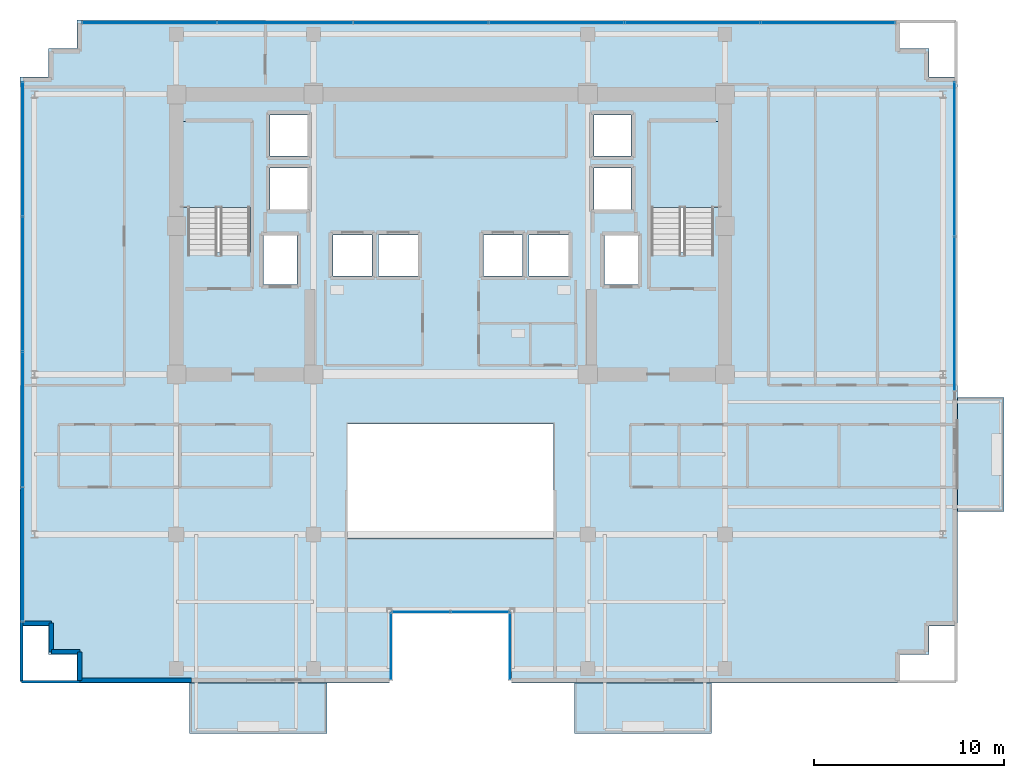
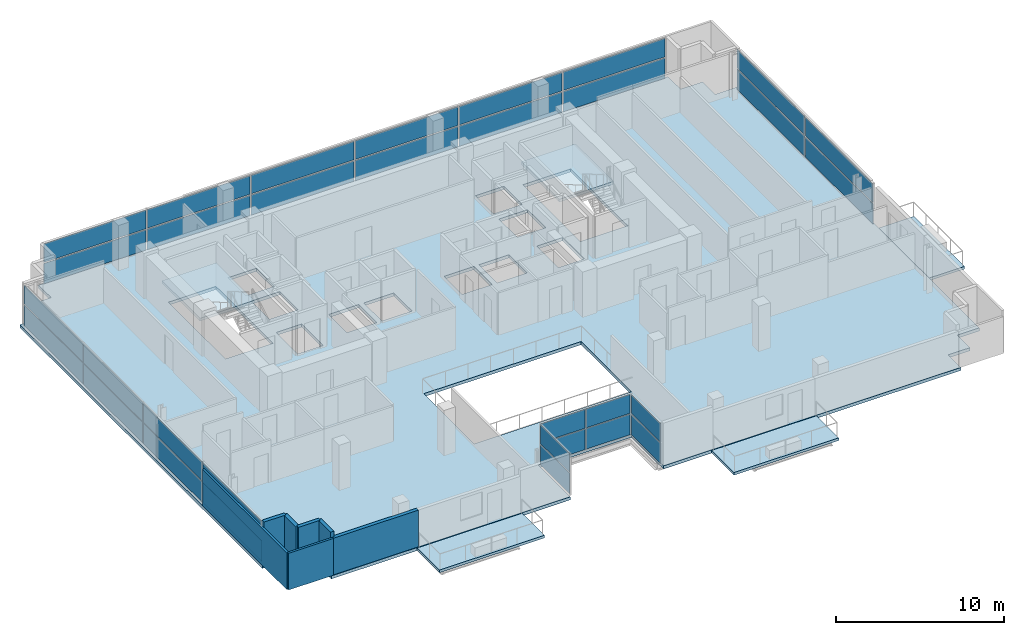
# One storey, part 14 of 21: 32 plates, 7 walls, 6 slabs, 8 elements without a shape of their own.
"""IFC4 building model written with IfcOpenShell, lengths in metres."""

from ifc_helpers import new_model, si_unit, direction, frame, frame_2d, origin, origin_2d, place, context, subcontext, project, spatial, polyline, rectangle, outline, extrude, source, transform, mapped, material, layer, layer_set, type_object, element, aggregate, save


model = new_model("IFC4")

# Units and contexts
model_context = context("Model", 3, precision=1e-05, world=origin(), true_north=direction((0.0, 1.0)))
body_context = subcontext(model_context, "Body", "Model", "MODEL_VIEW")
ifc_project = project(units=[si_unit("LENGTHUNIT", "METRE"), si_unit("AREAUNIT", "SQUARE_METRE"), si_unit("VOLUMEUNIT", "CUBIC_METRE"), si_unit("PLANEANGLEUNIT", "RADIAN"), si_unit("MASSUNIT", "GRAM", prefix="KILO")], contexts=[model_context])

# Site, building, storey
site_placement = place(None, origin())
site = spatial("IfcSite", under=ifc_project, at=site_placement, CompositionType="ELEMENT")
building_placement = place(site_placement, origin())
building = spatial("IfcBuilding", under=site, at=building_placement, Name="Zarnakvel Exchange Tower", CompositionType="ELEMENT")
storey_placement = place(building_placement, frame((0.0, 0.0, 189.10009765625)))
storey = spatial("IfcBuildingStorey", under=building, at=storey_placement, Name="L53", CompositionType="ELEMENT", Elevation=189.10009765625)

# Stair, slab
ifc_material_1 = material(Name="Concrete C40/50", Category="concrete")
stair_type = type_object("IfcStairType", Name="STR-01", PredefinedType="HALF_TURN_STAIR", material=ifc_material_1)
stair_1_placement = place(storey_placement, origin())
stair_1 = element("IfcStair", 1, at=stair_1_placement, inside=storey, type_object=stair_type, Name="L53 Protected Core Exit Stair ST-01", PredefinedType="HALF_TURN_STAIR")
ifc_layer_1 = layer(ifc_material_1, 0.199951171875)
ifc_layer_set_1 = layer_set([ifc_layer_1], Name="Concrete C40/50")
slab_type_1 = type_object("IfcSlabType", Name="LDG-01", PredefinedType="LANDING", material=ifc_layer_set_1)
slab_1_placement = place(storey_placement, frame((0.0, 0.0, 1.449951171875)))
slab_1 = element("IfcSlab", 2, at=slab_1_placement, type_object=slab_type_1, Name="ST-01 landing 1", PredefinedType="LANDING", context=body_context, shape_type="SweptSolid", body=[
    extrude(outline(polyline([(-14.18994140625, 7.570068359375), (-10.4599609375, 7.570068359375), (-10.4599609375, 12.080078125), (-14.18994140625, 12.080078125), (-14.18994140625, 7.570068359375)])), origin(), (0.0, 0.0, 1.0), 0.199951171875),
])
aggregate(stair_1, [slab_1])

stair_2_placement = place(storey_placement, origin())
stair_2 = element("IfcStair", 3, at=stair_2_placement, inside=storey, type_object=stair_type, Name="L53 Protected Core Exit Stair ST-02", PredefinedType="HALF_TURN_STAIR")
slab_2_placement = place(storey_placement, frame((0.0, 0.0, 1.449951171875)))
slab_2 = element("IfcSlab", 4, at=slab_2_placement, type_object=slab_type_1, Name="ST-02 landing 1", PredefinedType="LANDING", context=body_context, shape_type="SweptSolid", body=[
    extrude(outline(polyline([(10.4599609375, 7.570068359375), (14.18994140625, 7.570068359375), (14.18994140625, 12.080078125), (10.4599609375, 12.080078125), (10.4599609375, 7.570068359375)])), origin(), (0.0, 0.0, 1.0), 0.199951171875),
])
aggregate(stair_2, [slab_2])

# Slabs
ifc_layer_2 = layer(ifc_material_1, 0.22509765625)
ifc_layer_set_2 = layer_set([ifc_layer_2], Name="Concrete C40/50")
slab_type_2 = type_object("IfcSlabType", Name="SL-04", PredefinedType="FLOOR", material=ifc_layer_set_2)
slab_3_placement = place(storey_placement, frame((0.0, 0.0, -0.22509765625)))
element("IfcSlab", 5, at=slab_3_placement, inside=storey, type_object=slab_type_2, Name="L53 Primary Structural Floor Slab", PredefinedType="FLOOR", context=body_context, shape_type="SweptSolid", body=[
    extrude(outline(polyline([(-22.60009765625, -14.39990234375), (-21.10009765625, -14.39990234375), (-21.10009765625, -15.89990234375), (-19.60009765625, -15.89990234375), (-19.60009765625, -17.39990234375), (-3.199951171875, -17.39990234375), (-3.199951171875, -13.60009765625), (3.199951171875, -13.60009765625), (3.199951171875, -17.39990234375), (23.60009765625, -17.39990234375), (23.60009765625, -15.89990234375), (25.10009765625, -15.89990234375), (25.10009765625, -14.39990234375), (26.60009765625, -14.39990234375), (26.60009765625, 14.39990234375), (25.10009765625, 14.39990234375), (25.10009765625, 15.89990234375), (23.60009765625, 15.89990234375), (23.60009765625, 17.39990234375), (-19.60009765625, 17.39990234375), (-19.60009765625, 15.89990234375), (-21.10009765625, 15.89990234375), (-21.10009765625, 14.39990234375), (-22.60009765625, 14.39990234375), (-22.60009765625, -14.39990234375)]), holes=[polyline([(-5.39990234375, -9.800048828125), (5.39990234375, -9.800048828125), (5.39990234375, -3.800048828125), (-5.39990234375, -3.800048828125), (-5.39990234375, -9.800048828125)]), polyline([(-13.800048828125, 5.2099609375), (-10.5400390625, 5.2099609375), (-10.5400390625, 12.0), (-13.800048828125, 12.0), (-13.800048828125, 5.2099609375)]), polyline([(10.5400390625, 5.2099609375), (13.800048828125, 5.2099609375), (13.800048828125, 12.0), (10.5400390625, 12.0), (10.5400390625, 5.2099609375)]), polyline([(-9.830078125, 3.52001953125), (-8.070068359375, 3.52001953125), (-8.070068359375, 6.080078125), (-9.830078125, 6.080078125), (-9.830078125, 3.52001953125)]), polyline([(8.070068359375, 3.52001953125), (9.830078125, 3.52001953125), (9.830078125, 6.080078125), (8.070068359375, 6.080078125), (8.070068359375, 3.52001953125)]), polyline([(-6.179931640625, 3.969970703125), (-4.1201171875, 3.969970703125), (-4.1201171875, 6.1298828125), (-6.179931640625, 6.1298828125), (-6.179931640625, 3.969970703125)]), polyline([(-3.780029296875, 3.969970703125), (-1.719970703125, 3.969970703125), (-1.719970703125, 6.1298828125), (-3.780029296875, 6.1298828125), (-3.780029296875, 3.969970703125)]), polyline([(1.719970703125, 3.969970703125), (3.780029296875, 3.969970703125), (3.780029296875, 6.1298828125), (1.719970703125, 6.1298828125), (1.719970703125, 3.969970703125)]), polyline([(4.1201171875, 3.969970703125), (6.179931640625, 3.969970703125), (6.179931640625, 6.1298828125), (4.1201171875, 6.1298828125), (4.1201171875, 3.969970703125)]), polyline([(-9.47998046875, 7.469970703125), (-7.52001953125, 7.469970703125), (-7.52001953125, 9.6298828125), (-9.47998046875, 9.6298828125), (-9.47998046875, 7.469970703125)]), polyline([(-9.47998046875, 10.27001953125), (-7.52001953125, 10.27001953125), (-7.52001953125, 12.429931640625), (-9.47998046875, 12.429931640625), (-9.47998046875, 10.27001953125)]), polyline([(7.52001953125, 7.469970703125), (9.47998046875, 7.469970703125), (9.47998046875, 9.6298828125), (7.52001953125, 9.6298828125), (7.52001953125, 7.469970703125)]), polyline([(7.52001953125, 10.27001953125), (9.47998046875, 10.27001953125), (9.47998046875, 12.429931640625), (7.52001953125, 12.429931640625), (7.52001953125, 10.27001953125)])]), origin(), (0.0, 0.0, 1.0), 0.22509765625),
])
ifc_layer_3 = layer(ifc_material_1, 0.18994140625)
ifc_layer_set_3 = layer_set([ifc_layer_3], Name="Concrete C40/50")
slab_type_3 = type_object("IfcSlabType", Name="SL-08", PredefinedType="USERDEFINED", material=ifc_layer_set_3)
slab_4_placement = place(storey_placement, frame((0.0, 0.0, -0.22509765625)))
element("IfcSlab", 6, at=slab_4_placement, inside=storey, type_object=slab_type_3, Name="L53 Planted Loggia Balcony Slab BAL-L53-SW", ObjectType="BALCONY", PredefinedType="USERDEFINED", context=body_context, shape_type="SweptSolid", body=[
    extrude(outline(polyline([(-13.699951171875, -20.050048828125), (-6.5, -20.050048828125), (-6.5, -17.39990234375), (-13.699951171875, -17.39990234375), (-13.699951171875, -20.050048828125)])), origin(), (0.0, 0.0, 1.0), 0.18994140625),
])
slab_5_placement = place(storey_placement, frame((0.0, 0.0, -0.22509765625)))
element("IfcSlab", 7, at=slab_5_placement, inside=storey, type_object=slab_type_3, Name="L53 Planted Loggia Balcony Slab BAL-L53-SE", ObjectType="BALCONY", PredefinedType="USERDEFINED", context=body_context, shape_type="SweptSolid", body=[
    extrude(outline(polyline([(6.5, -20.050048828125), (13.699951171875, -20.050048828125), (13.699951171875, -17.39990234375), (6.5, -17.39990234375), (6.5, -20.050048828125)])), origin(), (0.0, 0.0, 1.0), 0.18994140625),
])
slab_6_placement = place(storey_placement, frame((0.0, 0.0, -0.22509765625)))
element("IfcSlab", 8, at=slab_6_placement, inside=storey, type_object=slab_type_3, Name="L53 Planted Loggia Balcony Slab BAL-L53-E", ObjectType="BALCONY", PredefinedType="USERDEFINED", context=body_context, shape_type="SweptSolid", body=[
    extrude(outline(polyline([(26.60009765625, -8.39990234375), (29.050048828125, -8.39990234375), (29.050048828125, -2.39990234375), (26.60009765625, -2.39990234375), (26.60009765625, -8.39990234375)])), origin(), (0.0, 0.0, 1.0), 0.18994140625),
])

# Curtain wall, plate
ifc_material_2 = material(Name="Architectural Bronze Anodised Aluminium", Category="aluminium")
ifc_layer_4 = layer(ifc_material_2, 0.179931640625)
ifc_layer_set_4 = layer_set([ifc_layer_4], Name="Architectural Bronze Anodised Aluminium")
curtain_wall_type_1 = type_object("IfcCurtainWallType", Name="CW-05", PredefinedType="NOTDEFINED", material=ifc_layer_set_4)
curtain_wall_1_placement = place(storey_placement, origin())
curtain_wall_1 = element("IfcCurtainWall", 9, at=curtain_wall_1_placement, inside=storey, type_object=curtain_wall_type_1, Name="L53 Curtain Wall CW-L53-SLW (CW-05)", PredefinedType="NOTDEFINED")
ifc_material_3 = material(Name="Double Low-E Laminated Vision Glass", Category="glass")
ifc_layer_5 = layer(ifc_material_3, 0.02587890625)
ifc_layer_set_5 = layer_set([ifc_layer_5], Name="Double Low-E Laminated Vision Glass")
plate_type_1 = type_object("IfcPlateType", Name="CWP-05", PredefinedType="CURTAIN_PANEL", material=ifc_layer_set_5)
shared_shape_1 = source(origin(), body_context, "Body", "SweptSolid", [
    extrude(rectangle(XDim=3.4599609375, YDim=0.02587890625, at=origin_2d()), origin(), (0.0, 0.0, 1.0), 1.483642578125),
])
plate_1_placement = place(storey_placement, frame((-3.1201171875, -15.47998046875, 0.06982421875), z_axis=(0.0, 0.0, 1.0), x_axis=(0.0, 1.0, 0.0)))
plate_1 = element("IfcPlate", 10, at=plate_1_placement, type_object=plate_type_1, Name="CW-05 panel 1.1", PredefinedType="CURTAIN_PANEL", context=body_context, shape_type="MappedRepresentation", body=[
    mapped(shared_shape_1, transform((0.0, 0.0, 0.0), x_axis=(1.0, 0.0, 0.0), y_axis=(0.0, 1.0, 0.0), z_axis=(0.0, 0.0, 1.0), scale=1.0)),
])

curtain_wall_2_placement = place(storey_placement, origin())
curtain_wall_2 = element("IfcCurtainWall", 11, at=curtain_wall_2_placement, inside=storey, type_object=curtain_wall_type_1, Name="L53 Curtain Wall CW-L53-SLE (CW-05)", PredefinedType="NOTDEFINED")
plate_2_placement = place(storey_placement, frame((3.1201171875, -15.47998046875, 0.06982421875), z_axis=(0.0, 0.0, 1.0), x_axis=(0.0, -1.0, 0.0)))
plate_2 = element("IfcPlate", 12, at=plate_2_placement, type_object=plate_type_1, Name="CW-05 panel 1.1", PredefinedType="CURTAIN_PANEL", context=body_context, shape_type="MappedRepresentation", body=[
    mapped(shared_shape_1, transform((0.0, 0.0, 0.0), x_axis=(1.0, 0.0, 0.0), y_axis=(0.0, 1.0, 0.0), z_axis=(0.0, 0.0, 1.0), scale=1.0)),
])

# Plate
shared_shape_2 = source(origin(), body_context, "Body", "SweptSolid", [
    extrude(rectangle(XDim=3.4599609375, YDim=0.02587890625, at=origin_2d()), origin(), (0.0, 0.0, 1.0), 1.361328125),
])
plate_3_placement = place(storey_placement, frame((-3.1201171875, -15.47998046875, 1.62353515625), z_axis=(0.0, 0.0, 1.0), x_axis=(0.0, 1.0, 0.0)))
plate_3 = element("IfcPlate", 13, at=plate_3_placement, type_object=plate_type_1, Name="CW-05 panel 1.2", PredefinedType="CURTAIN_PANEL", context=body_context, shape_type="MappedRepresentation", body=[
    mapped(shared_shape_2, transform((0.0, 0.0, 0.0), x_axis=(1.0, 0.0, 0.0), y_axis=(0.0, 1.0, 0.0), z_axis=(0.0, 0.0, 1.0), scale=1.0)),
])

aggregate(curtain_wall_1, [plate_1, plate_3])

plate_4_placement = place(storey_placement, frame((3.1201171875, -15.47998046875, 1.62353515625), z_axis=(0.0, 0.0, 1.0), x_axis=(0.0, -1.0, 0.0)))
plate_4 = element("IfcPlate", 14, at=plate_4_placement, type_object=plate_type_1, Name="CW-05 panel 1.2", PredefinedType="CURTAIN_PANEL", context=body_context, shape_type="MappedRepresentation", body=[
    mapped(shared_shape_2, transform((0.0, 0.0, 0.0), x_axis=(1.0, 0.0, 0.0), y_axis=(0.0, 1.0, 0.0), z_axis=(0.0, 0.0, 1.0), scale=1.0)),
])

aggregate(curtain_wall_2, [plate_2, plate_4])

# Curtain wall, plates
curtain_wall_3_placement = place(storey_placement, origin())
curtain_wall_3 = element("IfcCurtainWall", 15, at=curtain_wall_3_placement, inside=storey, type_object=curtain_wall_type_1, Name="L53 Curtain Wall CW-L53-SLB (CW-05)", PredefinedType="NOTDEFINED")
shared_shape_3 = source(origin(), body_context, "Body", "SweptSolid", [
    extrude(rectangle(XDim=3.014892578125, YDim=0.02587890625, at=origin_2d()), origin(), (0.0, 0.0, 1.0), 1.483642578125),
])
plate_5_placement = place(storey_placement, frame((-1.54248046875, -13.679931640625, 0.06982421875), z_axis=(0.0, 0.0, 1.0), x_axis=(1.0, 0.0, 0.0)))
plate_5 = element("IfcPlate", 16, at=plate_5_placement, type_object=plate_type_1, Name="CW-05 panel 1.1", PredefinedType="CURTAIN_PANEL", context=body_context, shape_type="MappedRepresentation", body=[
    mapped(shared_shape_3, transform((0.0, 0.0, 0.0), x_axis=(1.0, 0.0, 0.0), y_axis=(0.0, 1.0, 0.0), z_axis=(0.0, 0.0, 1.0), scale=1.0)),
])
plate_6_placement = place(storey_placement, frame((1.54248046875, -13.679931640625, 0.06982421875), z_axis=(0.0, 0.0, 1.0), x_axis=(1.0, 0.0, 0.0)))
plate_6 = element("IfcPlate", 17, at=plate_6_placement, type_object=plate_type_1, Name="CW-05 panel 2.1", PredefinedType="CURTAIN_PANEL", context=body_context, shape_type="MappedRepresentation", body=[
    mapped(shared_shape_3, transform((0.0, 0.0, 0.0), x_axis=(1.0, 0.0, 0.0), y_axis=(0.0, 1.0, 0.0), z_axis=(0.0, 0.0, 1.0), scale=1.0)),
])
shared_shape_4 = source(origin(), body_context, "Body", "SweptSolid", [
    extrude(rectangle(XDim=3.014892578125, YDim=0.02587890625, at=origin_2d()), origin(), (0.0, 0.0, 1.0), 1.361328125),
])
plate_7_placement = place(storey_placement, frame((-1.54248046875, -13.679931640625, 1.62353515625), z_axis=(0.0, 0.0, 1.0), x_axis=(1.0, 0.0, 0.0)))
plate_7 = element("IfcPlate", 18, at=plate_7_placement, type_object=plate_type_1, Name="CW-05 panel 1.2", PredefinedType="CURTAIN_PANEL", context=body_context, shape_type="MappedRepresentation", body=[
    mapped(shared_shape_4, transform((0.0, 0.0, 0.0), x_axis=(1.0, 0.0, 0.0), y_axis=(0.0, 1.0, 0.0), z_axis=(0.0, 0.0, 1.0), scale=1.0)),
])
plate_8_placement = place(storey_placement, frame((1.54248046875, -13.679931640625, 1.62353515625), z_axis=(0.0, 0.0, 1.0), x_axis=(1.0, 0.0, 0.0)))
plate_8 = element("IfcPlate", 19, at=plate_8_placement, type_object=plate_type_1, Name="CW-05 panel 2.2", PredefinedType="CURTAIN_PANEL", context=body_context, shape_type="MappedRepresentation", body=[
    mapped(shared_shape_4, transform((0.0, 0.0, 0.0), x_axis=(1.0, 0.0, 0.0), y_axis=(0.0, 1.0, 0.0), z_axis=(0.0, 0.0, 1.0), scale=1.0)),
])
aggregate(curtain_wall_3, [plate_5, plate_7, plate_6, plate_8])

ifc_layer_6 = layer(ifc_material_2, 0.219970703125)
ifc_layer_set_6 = layer_set([ifc_layer_6], Name="Architectural Bronze Anodised Aluminium")
curtain_wall_type_2 = type_object("IfcCurtainWallType", Name="CW-03", PredefinedType="NOTDEFINED", material=ifc_layer_set_6)
curtain_wall_4_placement = place(storey_placement, origin())
curtain_wall_4 = element("IfcCurtainWall", 20, at=curtain_wall_4_placement, inside=storey, type_object=curtain_wall_type_2, Name="L53 Curtain Wall CW-L53-N1 (CW-03)", PredefinedType="NOTDEFINED")
ifc_layer_7 = layer(ifc_material_3, 0.030029296875)
ifc_layer_set_7 = layer_set([ifc_layer_7], Name="Double Low-E Laminated Vision Glass")
plate_type_2 = type_object("IfcPlateType", Name="CWP-03", PredefinedType="CURTAIN_PANEL", material=ifc_layer_set_7)
shared_shape_5 = source(origin(), body_context, "Body", "SweptSolid", [
    extrude(rectangle(XDim=7.013427734375, YDim=0.030029296875, at=origin_2d()), origin(), (0.0, 0.0, 1.0), 1.468505859375),
])
plate_9_placement = place(storey_placement, frame((-15.813232421875, 17.260009765625, 0.080078125), z_axis=(0.0, 0.0, 1.0), x_axis=(1.0, 0.0, 0.0)))
plate_9 = element("IfcPlate", 21, at=plate_9_placement, type_object=plate_type_2, Name="CW-03 panel 1.1", PredefinedType="CURTAIN_PANEL", context=body_context, shape_type="MappedRepresentation", body=[
    mapped(shared_shape_5, transform((0.0, 0.0, 0.0), x_axis=(1.0, 0.0, 0.0), y_axis=(0.0, 1.0, 0.0), z_axis=(0.0, 0.0, 1.0), scale=1.0)),
])
plate_10_placement = place(storey_placement, frame((19.813232421875, 17.260009765625, 0.080078125), z_axis=(0.0, 0.0, 1.0), x_axis=(1.0, 0.0, 0.0)))
plate_10 = element("IfcPlate", 22, at=plate_10_placement, type_object=plate_type_2, Name="CW-03 panel 6.1", PredefinedType="CURTAIN_PANEL", context=body_context, shape_type="MappedRepresentation", body=[
    mapped(shared_shape_5, transform((0.0, 0.0, 0.0), x_axis=(1.0, 0.0, 0.0), y_axis=(0.0, 1.0, 0.0), z_axis=(0.0, 0.0, 1.0), scale=1.0)),
])
shared_shape_6 = source(origin(), body_context, "Body", "SweptSolid", [
    extrude(rectangle(XDim=7.013427734375, YDim=0.030029296875, at=origin_2d()), origin(), (0.0, 0.0, 1.0), 1.346435546875),
])
plate_11_placement = place(storey_placement, frame((-15.813232421875, 17.260009765625, 1.62841796875), z_axis=(0.0, 0.0, 1.0), x_axis=(1.0, 0.0, 0.0)))
plate_11 = element("IfcPlate", 23, at=plate_11_placement, type_object=plate_type_2, Name="CW-03 panel 1.2", PredefinedType="CURTAIN_PANEL", context=body_context, shape_type="MappedRepresentation", body=[
    mapped(shared_shape_6, transform((0.0, 0.0, 0.0), x_axis=(1.0, 0.0, 0.0), y_axis=(0.0, 1.0, 0.0), z_axis=(0.0, 0.0, 1.0), scale=1.0)),
])
plate_12_placement = place(storey_placement, frame((19.813232421875, 17.260009765625, 1.62841796875), z_axis=(0.0, 0.0, 1.0), x_axis=(1.0, 0.0, 0.0)))
plate_12 = element("IfcPlate", 24, at=plate_12_placement, type_object=plate_type_2, Name="CW-03 panel 6.2", PredefinedType="CURTAIN_PANEL", context=body_context, shape_type="MappedRepresentation", body=[
    mapped(shared_shape_6, transform((0.0, 0.0, 0.0), x_axis=(1.0, 0.0, 0.0), y_axis=(0.0, 1.0, 0.0), z_axis=(0.0, 0.0, 1.0), scale=1.0)),
])
shared_shape_7 = source(origin(), body_context, "Body", "SweptSolid", [
    extrude(rectangle(XDim=7.05322265625, YDim=0.030029296875, at=origin_2d()), origin(), (0.0, 0.0, 1.0), 1.468505859375),
])
plate_13_placement = place(storey_placement, frame((-8.699951171875, 17.260009765625, 0.080078125), z_axis=(0.0, 0.0, 1.0), x_axis=(1.0, 0.0, 0.0)))
plate_13 = element("IfcPlate", 25, at=plate_13_placement, type_object=plate_type_2, Name="CW-03 panel 2.1", PredefinedType="CURTAIN_PANEL", context=body_context, shape_type="MappedRepresentation", body=[
    mapped(shared_shape_7, transform((0.0, 0.0, 0.0), x_axis=(1.0, 0.0, 0.0), y_axis=(0.0, 1.0, 0.0), z_axis=(0.0, 0.0, 1.0), scale=1.0)),
])
plate_14_placement = place(storey_placement, frame((-1.566650390625, 17.260009765625, 0.080078125), z_axis=(0.0, 0.0, 1.0), x_axis=(1.0, 0.0, 0.0)))
plate_14 = element("IfcPlate", 26, at=plate_14_placement, type_object=plate_type_2, Name="CW-03 panel 3.1", PredefinedType="CURTAIN_PANEL", context=body_context, shape_type="MappedRepresentation", body=[
    mapped(shared_shape_7, transform((0.0, 0.0, 0.0), x_axis=(1.0, 0.0, 0.0), y_axis=(0.0, 1.0, 0.0), z_axis=(0.0, 0.0, 1.0), scale=1.0)),
])
plate_15_placement = place(storey_placement, frame((5.566650390625, 17.260009765625, 0.080078125), z_axis=(0.0, 0.0, 1.0), x_axis=(1.0, 0.0, 0.0)))
plate_15 = element("IfcPlate", 27, at=plate_15_placement, type_object=plate_type_2, Name="CW-03 panel 4.1", PredefinedType="CURTAIN_PANEL", context=body_context, shape_type="MappedRepresentation", body=[
    mapped(shared_shape_7, transform((0.0, 0.0, 0.0), x_axis=(1.0, 0.0, 0.0), y_axis=(0.0, 1.0, 0.0), z_axis=(0.0, 0.0, 1.0), scale=1.0)),
])
plate_16_placement = place(storey_placement, frame((12.699951171875, 17.260009765625, 0.080078125), z_axis=(0.0, 0.0, 1.0), x_axis=(1.0, 0.0, 0.0)))
plate_16 = element("IfcPlate", 28, at=plate_16_placement, type_object=plate_type_2, Name="CW-03 panel 5.1", PredefinedType="CURTAIN_PANEL", context=body_context, shape_type="MappedRepresentation", body=[
    mapped(shared_shape_7, transform((0.0, 0.0, 0.0), x_axis=(1.0, 0.0, 0.0), y_axis=(0.0, 1.0, 0.0), z_axis=(0.0, 0.0, 1.0), scale=1.0)),
])
shared_shape_8 = source(origin(), body_context, "Body", "SweptSolid", [
    extrude(rectangle(XDim=7.05322265625, YDim=0.030029296875, at=origin_2d()), origin(), (0.0, 0.0, 1.0), 1.346435546875),
])
plate_17_placement = place(storey_placement, frame((-8.699951171875, 17.260009765625, 1.62841796875), z_axis=(0.0, 0.0, 1.0), x_axis=(1.0, 0.0, 0.0)))
plate_17 = element("IfcPlate", 29, at=plate_17_placement, type_object=plate_type_2, Name="CW-03 panel 2.2", PredefinedType="CURTAIN_PANEL", context=body_context, shape_type="MappedRepresentation", body=[
    mapped(shared_shape_8, transform((0.0, 0.0, 0.0), x_axis=(1.0, 0.0, 0.0), y_axis=(0.0, 1.0, 0.0), z_axis=(0.0, 0.0, 1.0), scale=1.0)),
])
plate_18_placement = place(storey_placement, frame((-1.566650390625, 17.260009765625, 1.62841796875), z_axis=(0.0, 0.0, 1.0), x_axis=(1.0, 0.0, 0.0)))
plate_18 = element("IfcPlate", 30, at=plate_18_placement, type_object=plate_type_2, Name="CW-03 panel 3.2", PredefinedType="CURTAIN_PANEL", context=body_context, shape_type="MappedRepresentation", body=[
    mapped(shared_shape_8, transform((0.0, 0.0, 0.0), x_axis=(1.0, 0.0, 0.0), y_axis=(0.0, 1.0, 0.0), z_axis=(0.0, 0.0, 1.0), scale=1.0)),
])
plate_19_placement = place(storey_placement, frame((5.566650390625, 17.260009765625, 1.62841796875), z_axis=(0.0, 0.0, 1.0), x_axis=(1.0, 0.0, 0.0)))
plate_19 = element("IfcPlate", 31, at=plate_19_placement, type_object=plate_type_2, Name="CW-03 panel 4.2", PredefinedType="CURTAIN_PANEL", context=body_context, shape_type="MappedRepresentation", body=[
    mapped(shared_shape_8, transform((0.0, 0.0, 0.0), x_axis=(1.0, 0.0, 0.0), y_axis=(0.0, 1.0, 0.0), z_axis=(0.0, 0.0, 1.0), scale=1.0)),
])
plate_20_placement = place(storey_placement, frame((12.699951171875, 17.260009765625, 1.62841796875), z_axis=(0.0, 0.0, 1.0), x_axis=(1.0, 0.0, 0.0)))
plate_20 = element("IfcPlate", 32, at=plate_20_placement, type_object=plate_type_2, Name="CW-03 panel 5.2", PredefinedType="CURTAIN_PANEL", context=body_context, shape_type="MappedRepresentation", body=[
    mapped(shared_shape_8, transform((0.0, 0.0, 0.0), x_axis=(1.0, 0.0, 0.0), y_axis=(0.0, 1.0, 0.0), z_axis=(0.0, 0.0, 1.0), scale=1.0)),
])
aggregate(curtain_wall_4, [plate_9, plate_11, plate_13, plate_17, plate_14, plate_18, plate_15, plate_19, plate_16, plate_20, plate_10, plate_12])

ifc_layer_8 = layer(ifc_material_2, 0.199951171875)
ifc_layer_set_8 = layer_set([ifc_layer_8], Name="Architectural Bronze Anodised Aluminium")
curtain_wall_type_3 = type_object("IfcCurtainWallType", Name="CW-04", PredefinedType="NOTDEFINED", material=ifc_layer_set_8)
curtain_wall_5_placement = place(storey_placement, origin())
curtain_wall_5 = element("IfcCurtainWall", 33, at=curtain_wall_5_placement, inside=storey, type_object=curtain_wall_type_3, Name="L53 Curtain Wall CW-L53-EN (CW-04)", PredefinedType="NOTDEFINED")
ifc_layer_9 = layer(ifc_material_3, 0.028076171875)
ifc_layer_set_9 = layer_set([ifc_layer_9], Name="Double Low-E Laminated Vision Glass")
plate_type_3 = type_object("IfcPlateType", Name="CWP-04", PredefinedType="CURTAIN_PANEL", material=ifc_layer_set_9)
shared_shape_9 = source(origin(), body_context, "Body", "SweptSolid", [
    extrude(rectangle(XDim=8.03759765625, YDim=0.028076171875, at=origin_2d()), origin(), (0.0, 0.0, 1.0), 1.47607421875),
])
plate_21_placement = place(storey_placement, frame((26.4599609375, 1.99365234375, 0.074951171875), z_axis=(0.0, 0.0, 1.0), x_axis=(0.0, 1.0, 0.0)))
plate_21 = element("IfcPlate", 34, at=plate_21_placement, type_object=plate_type_3, Name="CW-04 panel 1.1", PredefinedType="CURTAIN_PANEL", context=body_context, shape_type="MappedRepresentation", body=[
    mapped(shared_shape_9, transform((0.0, 0.0, 0.0), x_axis=(1.0, 0.0, 0.0), y_axis=(0.0, 1.0, 0.0), z_axis=(0.0, 0.0, 1.0), scale=1.0)),
])
plate_22_placement = place(storey_placement, frame((26.4599609375, 10.106201171875, 0.074951171875), z_axis=(0.0, 0.0, 1.0), x_axis=(0.0, 1.0, 0.0)))
plate_22 = element("IfcPlate", 35, at=plate_22_placement, type_object=plate_type_3, Name="CW-04 panel 2.1", PredefinedType="CURTAIN_PANEL", context=body_context, shape_type="MappedRepresentation", body=[
    mapped(shared_shape_9, transform((0.0, 0.0, 0.0), x_axis=(1.0, 0.0, 0.0), y_axis=(0.0, 1.0, 0.0), z_axis=(0.0, 0.0, 1.0), scale=1.0)),
])
shared_shape_10 = source(origin(), body_context, "Body", "SweptSolid", [
    extrude(rectangle(XDim=8.03759765625, YDim=0.028076171875, at=origin_2d()), origin(), (0.0, 0.0, 1.0), 1.35400390625),
])
plate_23_placement = place(storey_placement, frame((26.4599609375, 1.99365234375, 1.6259765625), z_axis=(0.0, 0.0, 1.0), x_axis=(0.0, 1.0, 0.0)))
plate_23 = element("IfcPlate", 36, at=plate_23_placement, type_object=plate_type_3, Name="CW-04 panel 1.2", PredefinedType="CURTAIN_PANEL", context=body_context, shape_type="MappedRepresentation", body=[
    mapped(shared_shape_10, transform((0.0, 0.0, 0.0), x_axis=(1.0, 0.0, 0.0), y_axis=(0.0, 1.0, 0.0), z_axis=(0.0, 0.0, 1.0), scale=1.0)),
])
plate_24_placement = place(storey_placement, frame((26.4599609375, 10.106201171875, 1.6259765625), z_axis=(0.0, 0.0, 1.0), x_axis=(0.0, 1.0, 0.0)))
plate_24 = element("IfcPlate", 37, at=plate_24_placement, type_object=plate_type_3, Name="CW-04 panel 2.2", PredefinedType="CURTAIN_PANEL", context=body_context, shape_type="MappedRepresentation", body=[
    mapped(shared_shape_10, transform((0.0, 0.0, 0.0), x_axis=(1.0, 0.0, 0.0), y_axis=(0.0, 1.0, 0.0), z_axis=(0.0, 0.0, 1.0), scale=1.0)),
])
aggregate(curtain_wall_5, [plate_21, plate_23, plate_22, plate_24])

curtain_wall_6_placement = place(storey_placement, origin())
curtain_wall_6 = element("IfcCurtainWall", 38, at=curtain_wall_6_placement, inside=storey, type_object=curtain_wall_type_3, Name="L53 Curtain Wall CW-L53-W1 (CW-04)", PredefinedType="NOTDEFINED")
shared_shape_11 = source(origin(), body_context, "Body", "SweptSolid", [
    extrude(rectangle(XDim=6.987548828125, YDim=0.028076171875, at=origin_2d()), origin(), (0.0, 0.0, 1.0), 1.47607421875),
])
plate_25_placement = place(storey_placement, frame((-22.4599609375, -10.63134765625, 0.074951171875), z_axis=(0.0, 0.0, 1.0), x_axis=(0.0, 1.0, 0.0)))
plate_25 = element("IfcPlate", 39, at=plate_25_placement, type_object=plate_type_3, Name="CW-04 panel 1.1", PredefinedType="CURTAIN_PANEL", context=body_context, shape_type="MappedRepresentation", body=[
    mapped(shared_shape_11, transform((0.0, 0.0, 0.0), x_axis=(1.0, 0.0, 0.0), y_axis=(0.0, 1.0, 0.0), z_axis=(0.0, 0.0, 1.0), scale=1.0)),
])
plate_26_placement = place(storey_placement, frame((-22.4599609375, 10.63134765625, 0.074951171875), z_axis=(0.0, 0.0, 1.0), x_axis=(0.0, 1.0, 0.0)))
plate_26 = element("IfcPlate", 40, at=plate_26_placement, type_object=plate_type_3, Name="CW-04 panel 4.1", PredefinedType="CURTAIN_PANEL", context=body_context, shape_type="MappedRepresentation", body=[
    mapped(shared_shape_11, transform((0.0, 0.0, 0.0), x_axis=(1.0, 0.0, 0.0), y_axis=(0.0, 1.0, 0.0), z_axis=(0.0, 0.0, 1.0), scale=1.0)),
])
shared_shape_12 = source(origin(), body_context, "Body", "SweptSolid", [
    extrude(rectangle(XDim=6.987548828125, YDim=0.028076171875, at=origin_2d()), origin(), (0.0, 0.0, 1.0), 1.35400390625),
])
plate_27_placement = place(storey_placement, frame((-22.4599609375, -10.63134765625, 1.6259765625), z_axis=(0.0, 0.0, 1.0), x_axis=(0.0, 1.0, 0.0)))
plate_27 = element("IfcPlate", 41, at=plate_27_placement, type_object=plate_type_3, Name="CW-04 panel 1.2", PredefinedType="CURTAIN_PANEL", context=body_context, shape_type="MappedRepresentation", body=[
    mapped(shared_shape_12, transform((0.0, 0.0, 0.0), x_axis=(1.0, 0.0, 0.0), y_axis=(0.0, 1.0, 0.0), z_axis=(0.0, 0.0, 1.0), scale=1.0)),
])
plate_28_placement = place(storey_placement, frame((-22.4599609375, 10.63134765625, 1.6259765625), z_axis=(0.0, 0.0, 1.0), x_axis=(0.0, 1.0, 0.0)))
plate_28 = element("IfcPlate", 42, at=plate_28_placement, type_object=plate_type_3, Name="CW-04 panel 4.2", PredefinedType="CURTAIN_PANEL", context=body_context, shape_type="MappedRepresentation", body=[
    mapped(shared_shape_12, transform((0.0, 0.0, 0.0), x_axis=(1.0, 0.0, 0.0), y_axis=(0.0, 1.0, 0.0), z_axis=(0.0, 0.0, 1.0), scale=1.0)),
])
shared_shape_13 = source(origin(), body_context, "Body", "SweptSolid", [
    extrude(rectangle(XDim=7.02490234375, YDim=0.028076171875, at=origin_2d()), origin(), (0.0, 0.0, 1.0), 1.47607421875),
])
plate_29_placement = place(storey_placement, frame((-22.4599609375, -3.550048828125, 0.074951171875), z_axis=(0.0, 0.0, 1.0), x_axis=(0.0, 1.0, 0.0)))
plate_29 = element("IfcPlate", 43, at=plate_29_placement, type_object=plate_type_3, Name="CW-04 panel 2.1", PredefinedType="CURTAIN_PANEL", context=body_context, shape_type="MappedRepresentation", body=[
    mapped(shared_shape_13, transform((0.0, 0.0, 0.0), x_axis=(1.0, 0.0, 0.0), y_axis=(0.0, 1.0, 0.0), z_axis=(0.0, 0.0, 1.0), scale=1.0)),
])
plate_30_placement = place(storey_placement, frame((-22.4599609375, 3.550048828125, 0.074951171875), z_axis=(0.0, 0.0, 1.0), x_axis=(0.0, 1.0, 0.0)))
plate_30 = element("IfcPlate", 44, at=plate_30_placement, type_object=plate_type_3, Name="CW-04 panel 3.1", PredefinedType="CURTAIN_PANEL", context=body_context, shape_type="MappedRepresentation", body=[
    mapped(shared_shape_13, transform((0.0, 0.0, 0.0), x_axis=(1.0, 0.0, 0.0), y_axis=(0.0, 1.0, 0.0), z_axis=(0.0, 0.0, 1.0), scale=1.0)),
])
shared_shape_14 = source(origin(), body_context, "Body", "SweptSolid", [
    extrude(rectangle(XDim=7.02490234375, YDim=0.028076171875, at=origin_2d()), origin(), (0.0, 0.0, 1.0), 1.35400390625),
])
plate_31_placement = place(storey_placement, frame((-22.4599609375, -3.550048828125, 1.6259765625), z_axis=(0.0, 0.0, 1.0), x_axis=(0.0, 1.0, 0.0)))
plate_31 = element("IfcPlate", 45, at=plate_31_placement, type_object=plate_type_3, Name="CW-04 panel 2.2", PredefinedType="CURTAIN_PANEL", context=body_context, shape_type="MappedRepresentation", body=[
    mapped(shared_shape_14, transform((0.0, 0.0, 0.0), x_axis=(1.0, 0.0, 0.0), y_axis=(0.0, 1.0, 0.0), z_axis=(0.0, 0.0, 1.0), scale=1.0)),
])
plate_32_placement = place(storey_placement, frame((-22.4599609375, 3.550048828125, 1.6259765625), z_axis=(0.0, 0.0, 1.0), x_axis=(0.0, 1.0, 0.0)))
plate_32 = element("IfcPlate", 46, at=plate_32_placement, type_object=plate_type_3, Name="CW-04 panel 3.2", PredefinedType="CURTAIN_PANEL", context=body_context, shape_type="MappedRepresentation", body=[
    mapped(shared_shape_14, transform((0.0, 0.0, 0.0), x_axis=(1.0, 0.0, 0.0), y_axis=(0.0, 1.0, 0.0), z_axis=(0.0, 0.0, 1.0), scale=1.0)),
])
aggregate(curtain_wall_6, [plate_25, plate_27, plate_29, plate_31, plate_30, plate_32, plate_26, plate_28])

# Walls
ifc_material_4 = material(Name="Precast concrete C40/50", Category="concrete")
ifc_layer_10 = layer(ifc_material_4, 0.239990234375)
ifc_layer_set_10 = layer_set([ifc_layer_10], Name="Precast concrete C40/50")
wall_type_1 = type_object("IfcWallType", Name="EW-02", PredefinedType="SOLIDWALL", material=ifc_layer_set_10)
wall_1_placement = place(storey_placement, frame((-19.4599609375, -17.260009765625, 0.0), z_axis=(0.0, 0.0, 1.0), x_axis=(1.0, 0.0, 0.0)))
element("IfcWall", 47, at=wall_1_placement, inside=storey, type_object=wall_type_1, Name="L53 Exterior Precast Spandrel Wall EWC-L53-22 (EW-02)", PredefinedType="SOLIDWALL", context=body_context, shape_type="SweptSolid", body=[
    extrude(rectangle(XDim=5.85986328125, YDim=0.239990234375, at=frame_2d((2.929931640625, 0.0))), origin(), (0.0, 0.0, 1.0), 2.664794921875),
])
for number, where, z_axis, x_axis, name in (
    (48, (-19.4599609375, -15.760009765625, 0.0), (0.0, 0.0, 1.0), (0.0, -1.0, 0.0), "L53 Exterior Precast Spandrel Wall EWC-L53-23 (EW-02)"),
    (49, (-20.9599609375, -15.760009765625, 0.0), (0.0, 0.0, 1.0), (1.0, 0.0, 0.0), "L53 Exterior Precast Spandrel Wall EWC-L53-24 (EW-02)"),
    (50, (-20.9599609375, -14.260009765625, 0.0), (0.0, 0.0, 1.0), (0.0, -1.0, 0.0), "L53 Exterior Precast Spandrel Wall EWC-L53-25 (EW-02)"),
    (51, (-22.4599609375, -14.260009765625, 0.0), (0.0, 0.0, 1.0), (1.0, 0.0, 0.0), "L53 Exterior Precast Spandrel Wall EWC-L53-26 (EW-02)"),
):
    element("IfcWall", number, at=place(storey_placement, frame(where, z_axis=z_axis, x_axis=x_axis)), inside=storey, type_object=wall_type_1, Name=name, PredefinedType="SOLIDWALL", context=body_context, shape_type="SweptSolid", body=[
        extrude(rectangle(XDim=1.5, YDim=0.239990234375, at=frame_2d((0.75, 0.0))), origin(), (0.0, 0.0, 1.0), 3.074951171875),
    ])
ifc_material_5 = material(Name="Fire-Rated Gypsum Stud Partition", Category="gypsum")
ifc_layer_11 = layer(ifc_material_5, 0.14990234375)
ifc_layer_set_11 = layer_set([ifc_layer_11], Name="Fire-Rated Gypsum Stud Partition")
wall_type_2 = type_object("IfcWallType", Name="PT-01", PredefinedType="PARTITIONING", material=ifc_layer_set_11)
wall_2_placement = place(storey_placement, frame((-19.4599609375, -17.330078125, 0.0), z_axis=(0.0, 0.0, 1.0), x_axis=(-1.0, 0.0, 0.0)))
element("IfcWall", 52, at=wall_2_placement, inside=storey, type_object=wall_type_2, Name="L53 Partition Wall PWALL-L53-035 (PT-01)", PredefinedType="PARTITIONING", context=body_context, shape_type="SweptSolid", body=[
    extrude(rectangle(XDim=3.070068359375, YDim=0.14990234375, at=frame_2d((1.53515625, 0.0))), origin(), (0.0, 0.0, 1.0), 2.664794921875),
])
wall_3_placement = place(storey_placement, frame((-22.530029296875, -17.330078125, 0.0), z_axis=(0.0, 0.0, 1.0), x_axis=(0.0, 1.0, 0.0)))
element("IfcWall", 53, at=wall_3_placement, inside=storey, type_object=wall_type_2, Name="L53 Partition Wall PWALL-L53-036 (PT-01)", PredefinedType="PARTITIONING", context=body_context, shape_type="SweptSolid", body=[
    extrude(rectangle(XDim=10.050048828125, YDim=0.14990234375, at=frame_2d((5.02490234375, 0.0))), origin(), (0.0, 0.0, 1.0), 2.664794921875),
])

save(model, "model.ifc")
